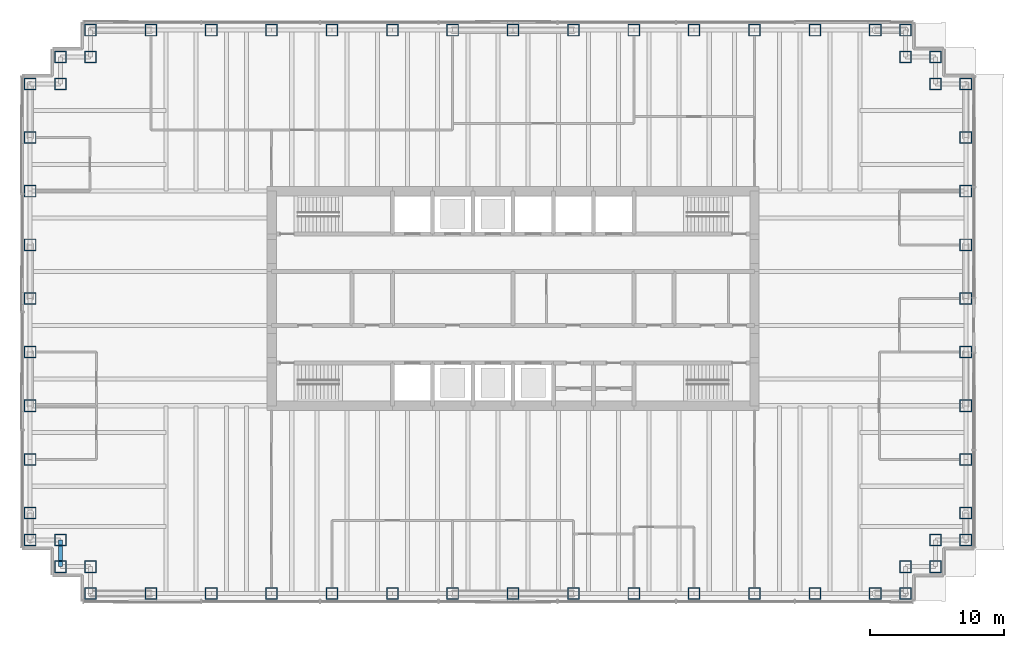
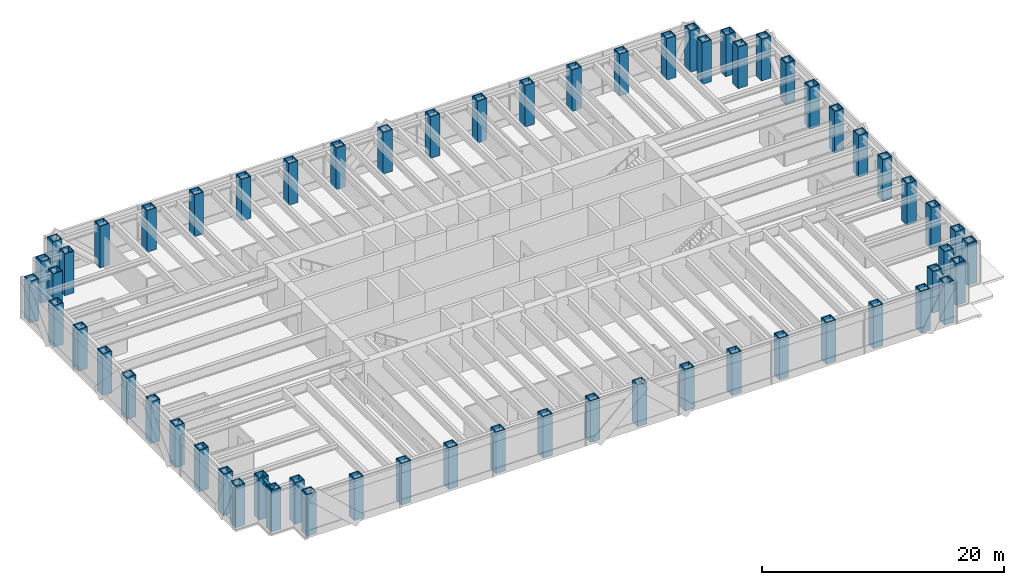
# One storey, part 1 of 12: 62 columns, 1 beam.
"""IFC4 building model written with IfcOpenShell, lengths in metres."""

import ifcopenshell
import ifcopenshell.guid

model = None  # the IFC model being written
_history = None  # IfcOwnerHistory: only IFC2X3 demands one
_inside = {}  # id of a spatial element -> (the spatial element, [elements in it])
_under = {}  # id of a project, library or spatial element -> (it, [spatial elements below it])
_declared = {}  # id of a project -> (the project, [libraries it declares])
_typed = {}  # id of a type object -> (the type object, [elements of that type])
_made_of = {}  # id of a material, layer set ... -> (it, [elements and type objects made of it])


def new_model(schema):
    """Start an empty IFC model of exactly this schema.

    Asked for "IFC4X3", IfcOpenShell would pick the latest addendum, in which some entities
    have other attributes; the version numbers below select the first issue.
    IFC2X3 requires an IfcOwnerHistory on every rooted entity: one is made here for all.
    """
    global model, _history
    if schema == "IFC4X3":
        model = ifcopenshell.file(schema_version=(4, 3, 0, 0))
    else:
        model = ifcopenshell.file(schema=schema)
    _inside.clear()
    _under.clear()
    _declared.clear()
    _typed.clear()
    _made_of.clear()
    _history = None
    if model.schema == "IFC2X3":
        org = make("IfcOrganization", Name="unknown")
        user = make(
            "IfcPersonAndOrganization",
            ThePerson=make("IfcPerson", FamilyName="unknown"),
            TheOrganization=org,
        )
        app = make(
            "IfcApplication",
            ApplicationDeveloper=org,
            Version="unknown",
            ApplicationFullName="unknown",
            ApplicationIdentifier="unknown",
        )
        _history = make(
            "IfcOwnerHistory",
            OwningUser=user,
            OwningApplication=app,
            ChangeAction="ADDED",
            CreationDate=0,
        )
    return model


def make(cls, **values):
    """One entity of the class cls with the attributes given. An attribute that is None is left unset."""
    return model.create_entity(
        cls, **{name: value for name, value in values.items() if value is not None}
    )


def rooted(cls, **values):
    """An entity with a GlobalId (a new one), such as an element, a storey or a relation."""
    return make(cls, GlobalId=ifcopenshell.guid.new(), OwnerHistory=_history, **values)


def si_unit(unit_type, name, prefix=None):
    """IfcSIUnit, for example si_unit("LENGTHUNIT", "METRE", prefix="MILLI")."""
    return make("IfcSIUnit", UnitType=unit_type, Prefix=prefix, Name=name)


def assignment(units):
    """IfcUnitAssignment: the units of a project."""
    return None if units is None else make("IfcUnitAssignment", Units=units)


def point(xyz):
    """IfcCartesianPoint."""
    return None if xyz is None else make("IfcCartesianPoint", Coordinates=xyz)


def direction(xyz):
    """IfcDirection."""
    return None if xyz is None else make("IfcDirection", DirectionRatios=xyz)


def frame(location, z_axis=None, x_axis=None):
    """IfcAxis2Placement3D, a coordinate frame: its origin and axes. An axis left out is left unset."""
    return make(
        "IfcAxis2Placement3D",
        Location=point(location),
        Axis=direction(z_axis),
        RefDirection=direction(x_axis),
    )


def frame_2d(location, x_axis=None):
    """IfcAxis2Placement2D, a coordinate frame in the plane: its origin and x axis."""
    return make(
        "IfcAxis2Placement2D", Location=point(location), RefDirection=direction(x_axis)
    )


def origin():
    """The frame at (0, 0, 0) with its axes left unset."""
    return frame((0.0, 0.0, 0.0))


def origin_2d():
    """The frame at (0, 0) in the plane with its x axis left unset."""
    return frame_2d((0.0, 0.0))


def place(relative_to, where):
    """IfcLocalPlacement: puts the frame where relative to a parent placement (None: the world)."""
    return make(
        "IfcLocalPlacement", PlacementRelTo=relative_to, RelativePlacement=where
    )


def context(
    kind, dimensions, precision=None, world=None, true_north=None, identifier=None
):
    """IfcGeometricRepresentationContext, for example the 3D "Model" context."""
    return make(
        "IfcGeometricRepresentationContext",
        ContextIdentifier=identifier,
        ContextType=kind,
        CoordinateSpaceDimension=dimensions,
        Precision=precision,
        WorldCoordinateSystem=world,
        TrueNorth=true_north,
    )


def subcontext(parent, identifier, kind, view, scale=None):
    """IfcGeometricRepresentationSubContext, for example "Body" below "Model"."""
    return make(
        "IfcGeometricRepresentationSubContext",
        ContextIdentifier=identifier,
        ContextType=kind,
        ParentContext=parent,
        TargetScale=scale,
        TargetView=view,
    )


def project(units=None, contexts=None):
    """IfcProject with its units and contexts."""
    return rooted(
        "IfcProject",
        Name="project",
        RepresentationContexts=contexts,
        UnitsInContext=assignment(units),
    )


def spatial(cls, under=None, at=None, **own):
    """A site, building, storey or space (cls), placed at a placement, below another one or the project."""
    s = rooted(cls, ObjectPlacement=at, **own)
    if under is not None:
        _under.setdefault(under.id(), (under, []))[1].append(s)
    return s


def profile(cls, at=None, kind="AREA", **sizes):
    """A parametric profile (cls). Its sizes go by their IFC names, for example OverallWidth=200.0."""
    return make(cls, ProfileType=kind, Position=at, **sizes)


def hollow_rectangle(**sizes):
    """IfcRectangleHollowProfileDef."""
    return profile("IfcRectangleHollowProfileDef", **sizes)


def i_section(**sizes):
    """IfcIShapeProfileDef."""
    return profile("IfcIShapeProfileDef", **sizes)


def extrude(swept, where, along, depth):
    """IfcExtrudedAreaSolid: the profile swept, set in the frame where, extruded along a direction by depth."""
    return make(
        "IfcExtrudedAreaSolid",
        SweptArea=swept,
        Position=where,
        ExtrudedDirection=direction(along),
        Depth=depth,
    )


def shape(context_of_items, identifier, shape_type, items):
    """IfcShapeRepresentation: the items that make up one representation, for example the "Body"."""
    return make(
        "IfcShapeRepresentation",
        ContextOfItems=context_of_items,
        RepresentationIdentifier=identifier,
        RepresentationType=shape_type,
        Items=items,
    )


def material(Name=None, Category=None):
    """IfcMaterial."""
    return make("IfcMaterial", Name=Name, Category=Category)


def material_profile(
    of_material, cross_section, Name=None, Category=None, Priority=None
):
    """IfcMaterialProfile: a cross section and its material."""
    return make(
        "IfcMaterialProfile",
        Name=Name,
        Material=of_material,
        Profile=cross_section,
        Priority=Priority,
        Category=Category,
    )


def profile_set(profiles, Name=None, composite=None):
    """IfcMaterialProfileSet."""
    return make(
        "IfcMaterialProfileSet",
        Name=Name,
        MaterialProfiles=profiles,
        CompositeProfile=composite,
    )


def made_of(thing, what):
    """Note that an element or type object is made of a material, layer set ...; save() writes the relation."""
    if what is not None:
        _made_of.setdefault(what.id(), (what, []))[1].append(thing)
    return thing


def type_object(cls, material=None, **own):
    """A type object (cls), such as IfcWallType, which elements share."""
    return made_of(rooted(cls, **own), material)


def element(
    cls,
    number,
    at=None,
    inside=None,
    cuts=None,
    type_object=None,
    material=None,
    context=None,
    identifier="Body",
    shape_type=None,
    held_by="IfcProductDefinitionShape",
    body=None,
    shapes=None,
    **own,
):
    """One element of the class cls, such as IfcWall. Its Tag is "e" and its number.

    at: its placement. inside: the storey or other place that contains it. cuts: it is an
    opening in that element (IfcRelVoidsElement). A single representation is given by context,
    identifier, shape_type and body (its items); several are given by shapes. held_by: the class
    of the entity that holds the representations. save() writes the other relations.
    """
    e = rooted(cls, Tag="e%d" % number, ObjectPlacement=at, **own)
    if body is not None:
        shapes = [shape(context, identifier, shape_type, body)]
    if shapes is not None:
        e.Representation = make(held_by, Representations=shapes)
    if inside is not None:
        _inside.setdefault(inside.id(), (inside, []))[1].append(e)
    if cuts is not None:
        rooted(
            "IfcRelVoidsElement", RelatingBuildingElement=cuts, RelatedOpeningElement=e
        )
    if type_object is not None:
        _typed.setdefault(type_object.id(), (type_object, []))[1].append(e)
    return made_of(e, material)


def aggregate(whole, parts):
    """IfcRelAggregates: a whole, such as a stair, and the parts it consists of."""
    return rooted("IfcRelAggregates", RelatingObject=whole, RelatedObjects=parts)


def save(model, path):
    """Write the relations noted so far, then the file.

    IfcRelAggregates (storeys below a building ...), IfcRelContainedInSpatialStructure (elements
    in a storey), IfcRelDefinesByType, IfcRelAssociatesMaterial and IfcRelDeclares: one each for
    every whole, place, type object, material and project.
    """
    for whole, parts in _under.values():
        aggregate(whole, parts)
    for where, things in _inside.values():
        rooted(
            "IfcRelContainedInSpatialStructure",
            RelatedElements=things,
            RelatingStructure=where,
        )
    for kind, things in _typed.values():
        rooted("IfcRelDefinesByType", RelatedObjects=things, RelatingType=kind)
    for what, things in _made_of.values():
        rooted("IfcRelAssociatesMaterial", RelatedObjects=things, RelatingMaterial=what)
    for by, libraries in _declared.values():
        rooted("IfcRelDeclares", RelatingContext=by, RelatedDefinitions=libraries)
    model.write(path)


model = new_model("IFC4")

# Units and contexts
model_context = context("Model", 3, precision=1e-05, world=origin(), true_north=direction((0.0, 1.0)))
body_context = subcontext(model_context, "Body", "Model", "MODEL_VIEW")
ifc_project = project(units=[si_unit("LENGTHUNIT", "METRE"), si_unit("AREAUNIT", "SQUARE_METRE"), si_unit("VOLUMEUNIT", "CUBIC_METRE"), si_unit("PLANEANGLEUNIT", "RADIAN"), si_unit("MASSUNIT", "GRAM", prefix="KILO")], contexts=[model_context])

# Site, building, storey
site_placement = place(None, origin())
site = spatial("IfcSite", under=ifc_project, at=site_placement, CompositionType="ELEMENT")
building_placement = place(site_placement, origin())
building = spatial("IfcBuilding", under=site, at=building_placement, Name="Rheinbord Bourse Tower", CompositionType="ELEMENT")
storey_placement = place(building_placement, frame((0.0, 0.0, 271.10009765625)))
storey = spatial("IfcBuildingStorey", under=building, at=storey_placement, Name="L61", CompositionType="ELEMENT", Elevation=271.10009765625)

# Columns
ifc_material_1 = material(Name="Steel S460M", Category="steel")
ifc_material_profile_1 = material_profile(ifc_material_1, hollow_rectangle(XDim=0.89990234375, YDim=0.89990234375, WallThickness=0.070068359375, at=origin_2d()), Name="BOX 900x900x70")
ifc_profile_set_1 = profile_set([ifc_material_profile_1], Name="Steel S460M")
column_type = type_object("IfcColumnType", Name="TUBE COLUMN BOX 900x900x70", PredefinedType="COLUMN", material=ifc_profile_set_1)
for number, where, z_axis, x_axis, name in (
    (1, (4.5, 2.0, 0.0), (0.0, 0.0, 1.0), (0.0, 1.0, 0.0), "Column SW-E L61"),
    (2, (9.0, 2.0, 0.0), (0.0, 0.0, 1.0), (0.0, 1.0, 0.0), "Column S-9 L61"),
    (3, (13.5, 2.0, 0.0), (0.0, 0.0, 1.0), (0.0, 1.0, 0.0), "Column S-13.5 L61"),
    (4, (18.0, 2.0, 0.0), (0.0, 0.0, 1.0), (0.0, 1.0, 0.0), "Column S-18 L61"),
    (5, (22.5, 2.0, 0.0), (0.0, 0.0, 1.0), (0.0, 1.0, 0.0), "Column S-22.5 L61"),
    (6, (27.0, 2.0, 0.0), (0.0, 0.0, 1.0), (0.0, 1.0, 0.0), "Column S-27 L61"),
    (7, (31.5, 2.0, 0.0), (0.0, 0.0, 1.0), (0.0, 1.0, 0.0), "Column S-31.5 L61"),
    (8, (36.0, 2.0, 0.0), (0.0, 0.0, 1.0), (0.0, 1.0, 0.0), "Column S-36 L61"),
    (9, (40.5, 2.0, 0.0), (0.0, 0.0, 1.0), (0.0, 1.0, 0.0), "Column S-40.5 L61"),
    (10, (45.0, 2.0, 0.0), (0.0, 0.0, 1.0), (0.0, 1.0, 0.0), "Column S-45 L61"),
    (11, (49.5, 2.0, 0.0), (0.0, 0.0, 1.0), (0.0, 1.0, 0.0), "Column S-49.5 L61"),
    (12, (54.0, 2.0, 0.0), (0.0, 0.0, 1.0), (0.0, 1.0, 0.0), "Column S-54 L61"),
    (13, (58.5, 2.0, 0.0), (0.0, 0.0, 1.0), (0.0, 1.0, 0.0), "Column S-58.5 L61"),
    (14, (63.0, 2.0, 0.0), (0.0, 0.0, 1.0), (0.0, 1.0, 0.0), "Column S-63 L61"),
    (15, (65.25, 2.0, 0.0), (0.0, 0.0, 1.0), (0.0, 1.0, 0.0), "Column SE-E L61"),
    (16, (65.25, 4.0, 0.0), (0.0, 0.0, 1.0), (0.0, 1.0, 0.0), "Column SE-D L61"),
    (17, (67.5, 4.0, 0.0), (0.0, 0.0, 1.0), (1.0, 0.0, 0.0), "Column SE-C L61"),
    (18, (67.5, 6.0, 0.0), (0.0, 0.0, 1.0), (1.0, 0.0, 0.0), "Column SE-B L61"),
    (19, (69.75, 6.0, 0.0), (0.0, 0.0, 1.0), (1.0, 0.0, 0.0), "Column SE-A L61"),
    (20, (69.75, 8.0, 0.0), (0.0, 0.0, 1.0), (1.0, 0.0, 0.0), "Column E-8 L61"),
    (21, (69.75, 12.0, 0.0), (0.0, 0.0, 1.0), (1.0, 0.0, 0.0), "Column E-12 L61"),
    (22, (69.75, 16.0, 0.0), (0.0, 0.0, 1.0), (1.0, 0.0, 0.0), "Column E-16 L61"),
    (23, (69.75, 20.0, 0.0), (0.0, 0.0, 1.0), (1.0, 0.0, 0.0), "Column E-20 L61"),
    (24, (69.75, 24.0, 0.0), (0.0, 0.0, 1.0), (1.0, 0.0, 0.0), "Column E-24 L61"),
    (25, (69.75, 28.0, 0.0), (0.0, 0.0, 1.0), (1.0, 0.0, 0.0), "Column E-28 L61"),
    (26, (69.75, 32.0, 0.0), (0.0, 0.0, 1.0), (1.0, 0.0, 0.0), "Column E-32 L61"),
    (27, (69.75, 36.0, 0.0), (0.0, 0.0, 1.0), (1.0, 0.0, 0.0), "Column E-36 L61"),
    (28, (69.75, 40.0, 0.0), (0.0, 0.0, 1.0), (1.0, 0.0, 0.0), "Column NE-A L61"),
    (29, (67.5, 40.0, 0.0), (0.0, 0.0, 1.0), (1.0, 0.0, 0.0), "Column NE-B L61"),
    (30, (67.5, 42.0, 0.0), (0.0, 0.0, 1.0), (1.0, 0.0, 0.0), "Column NE-C L61"),
    (31, (65.25, 42.0, 0.0), (0.0, 0.0, 1.0), (0.0, 1.0, 0.0), "Column NE-D L61"),
    (32, (65.25, 44.0, 0.0), (0.0, 0.0, 1.0), (0.0, 1.0, 0.0), "Column NE-E L61"),
    (33, (63.0, 44.0, 0.0), (0.0, 0.0, 1.0), (0.0, 1.0, 0.0), "Column N-63 L61"),
    (34, (58.5, 44.0, 0.0), (0.0, 0.0, 1.0), (0.0, 1.0, 0.0), "Column N-58.5 L61"),
    (35, (54.0, 44.0, 0.0), (0.0, 0.0, 1.0), (0.0, 1.0, 0.0), "Column N-54 L61"),
    (36, (49.5, 44.0, 0.0), (0.0, 0.0, 1.0), (0.0, 1.0, 0.0), "Column N-49.5 L61"),
    (37, (45.0, 44.0, 0.0), (0.0, 0.0, 1.0), (0.0, 1.0, 0.0), "Column N-45 L61"),
    (38, (40.5, 44.0, 0.0), (0.0, 0.0, 1.0), (0.0, 1.0, 0.0), "Column N-40.5 L61"),
    (39, (36.0, 44.0, 0.0), (0.0, 0.0, 1.0), (0.0, 1.0, 0.0), "Column N-36 L61"),
    (40, (31.5, 44.0, 0.0), (0.0, 0.0, 1.0), (0.0, 1.0, 0.0), "Column N-31.5 L61"),
    (41, (27.0, 44.0, 0.0), (0.0, 0.0, 1.0), (0.0, 1.0, 0.0), "Column N-27 L61"),
    (42, (22.5, 44.0, 0.0), (0.0, 0.0, 1.0), (0.0, 1.0, 0.0), "Column N-22.5 L61"),
    (43, (18.0, 44.0, 0.0), (0.0, 0.0, 1.0), (0.0, 1.0, 0.0), "Column N-18 L61"),
    (44, (13.5, 44.0, 0.0), (0.0, 0.0, 1.0), (0.0, 1.0, 0.0), "Column N-13.5 L61"),
    (45, (9.0, 44.0, 0.0), (0.0, 0.0, 1.0), (0.0, 1.0, 0.0), "Column N-9 L61"),
    (46, (4.5, 44.0, 0.0), (0.0, 0.0, 1.0), (0.0, 1.0, 0.0), "Column NW-E L61"),
    (47, (4.5, 42.0, 0.0), (0.0, 0.0, 1.0), (0.0, 1.0, 0.0), "Column NW-D L61"),
    (48, (2.25, 42.0, 0.0), (0.0, 0.0, 1.0), (1.0, 0.0, 0.0), "Column NW-C L61"),
    (49, (2.25, 40.0, 0.0), (0.0, 0.0, 1.0), (1.0, 0.0, 0.0), "Column NW-B L61"),
    (50, (0.0, 40.0, 0.0), (0.0, 0.0, 1.0), (1.0, 0.0, 0.0), "Column NW-A L61"),
    (51, (0.0, 36.0, 0.0), (0.0, 0.0, 1.0), (1.0, 0.0, 0.0), "Column W-36 L61"),
    (52, (0.0, 32.0, 0.0), (0.0, 0.0, 1.0), (1.0, 0.0, 0.0), "Column W-32 L61"),
    (53, (0.0, 28.0, 0.0), (0.0, 0.0, 1.0), (1.0, 0.0, 0.0), "Column W-28 L61"),
    (54, (0.0, 24.0, 0.0), (0.0, 0.0, 1.0), (1.0, 0.0, 0.0), "Column W-24 L61"),
    (55, (0.0, 20.0, 0.0), (0.0, 0.0, 1.0), (1.0, 0.0, 0.0), "Column W-20 L61"),
    (56, (0.0, 16.0, 0.0), (0.0, 0.0, 1.0), (1.0, 0.0, 0.0), "Column W-16 L61"),
    (57, (0.0, 12.0, 0.0), (0.0, 0.0, 1.0), (1.0, 0.0, 0.0), "Column W-12 L61"),
    (58, (0.0, 8.0, 0.0), (0.0, 0.0, 1.0), (1.0, 0.0, 0.0), "Column W-8 L61"),
    (59, (0.0, 6.0, 0.0), (0.0, 0.0, 1.0), (1.0, 0.0, 0.0), "Column SW-A L61"),
    (60, (2.25, 6.0, 0.0), (0.0, 0.0, 1.0), (1.0, 0.0, 0.0), "Column SW-B L61"),
    (61, (2.25, 4.0, 0.0), (0.0, 0.0, 1.0), (1.0, 0.0, 0.0), "Column SW-C L61"),
    (62, (4.5, 4.0, 0.0), (0.0, 0.0, 1.0), (0.0, 1.0, 0.0), "Column SW-D L61"),
):
    element("IfcColumn", number, at=place(storey_placement, frame(where, z_axis=z_axis, x_axis=x_axis)), inside=storey, type_object=column_type, Name=name, PredefinedType="COLUMN", context=body_context, shape_type="SweptSolid", body=[
        extrude(hollow_rectangle(XDim=0.89990234375, YDim=0.89990234375, WallThickness=0.070068359375, at=origin_2d()), origin(), (0.0, 0.0, 1.0), 4.199951171875),
    ])

# Beam
ifc_material_2 = material(Name="Steel S460", Category="steel")
ifc_material_profile_2 = material_profile(ifc_material_2, i_section(OverallWidth=0.300048828125, OverallDepth=0.550048828125, WebThickness=0.014892578125, FlangeThickness=0.029052734375, at=origin_2d()), Name="HEB 550")
ifc_profile_set_2 = profile_set([ifc_material_profile_2], Name="Steel S460")
beam_type = type_object("IfcBeamType", Name="SPANDREL HEB 550", PredefinedType="SPANDREL", material=ifc_profile_set_2)
beam_placement = place(storey_placement, frame((2.25, 6.0, 3.764892578125), z_axis=(0.0, -1.0, 0.0), x_axis=(1.0, 0.0, 0.0)))
element("IfcBeam", 63, at=beam_placement, inside=storey, type_object=beam_type, Name="Spandrel SW-B-SW-C under L62", PredefinedType="SPANDREL", context=body_context, shape_type="SweptSolid", body=[
    extrude(i_section(OverallWidth=0.300048828125, OverallDepth=0.550048828125, WebThickness=0.014892578125, FlangeThickness=0.029052734375, at=origin_2d()), origin(), (0.0, 0.0, 1.0), 2.0),
])

save(model, "model.ifc")
